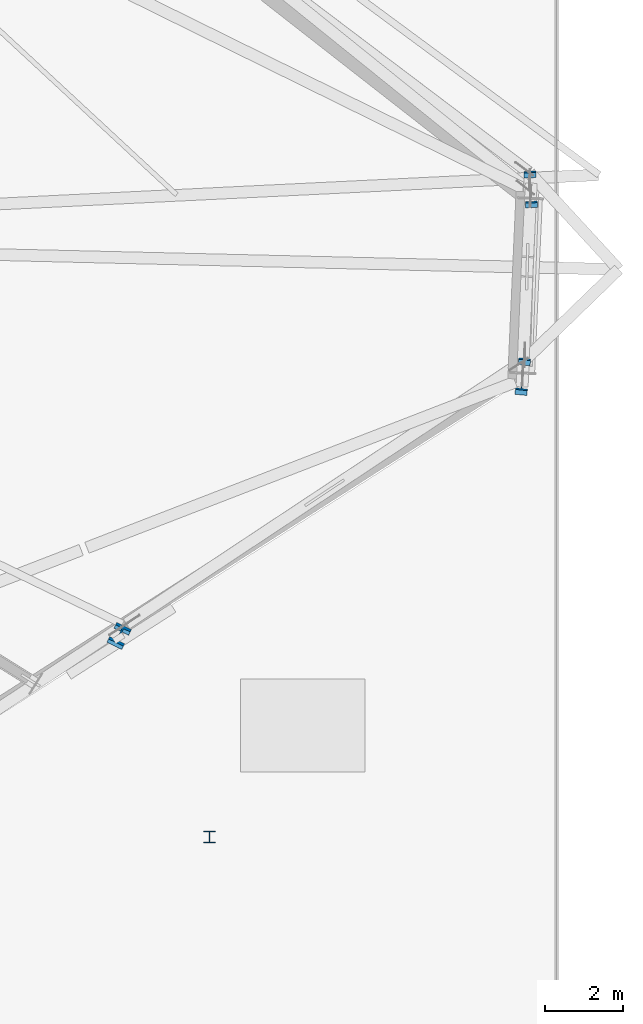
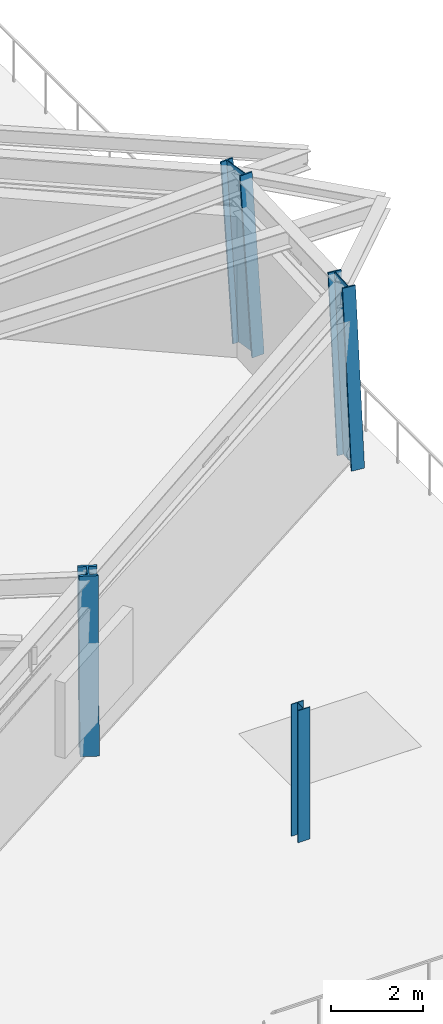
# One storey, part 2 of 20: 4 columns.
"""IFC4 building model written with IfcOpenShell, lengths in metres."""

from ifc_helpers import new_model, si_unit, direction, frame, origin, origin_2d, place, context, subcontext, project, spatial, i_section, extrude, source, transform, mapped, material, material_profile, profile_set, type_object, element, save


model = new_model("IFC4")

# Units and contexts
model_context = context("Model", 3, precision=1e-05, world=origin(), true_north=direction((0.0, 1.0)))
body_context = subcontext(model_context, "Body", "Model", "MODEL_VIEW")
ifc_project = project(units=[si_unit("LENGTHUNIT", "METRE"), si_unit("AREAUNIT", "SQUARE_METRE"), si_unit("VOLUMEUNIT", "CUBIC_METRE"), si_unit("PLANEANGLEUNIT", "RADIAN"), si_unit("MASSUNIT", "GRAM", prefix="KILO")], contexts=[model_context])

# Site, building, storey
site_placement = place(None, origin())
site = spatial("IfcSite", under=ifc_project, at=site_placement, CompositionType="ELEMENT")
building_placement = place(site_placement, origin())
building = spatial("IfcBuilding", under=site, at=building_placement, Name="Olszyna Solenne Hotel", CompositionType="ELEMENT")
storey_placement = place(building_placement, frame((0.0, 0.0, 24.60009765625)))
storey = spatial("IfcBuildingStorey", under=building, at=storey_placement, Name="L05", CompositionType="ELEMENT", Elevation=24.60009765625)

# Columns
ifc_material_1 = material(Name="Steel S355J2", Category="steel")
ifc_material_profile_1 = material_profile(ifc_material_1, i_section(OverallWidth=0.300048828125, OverallDepth=0.300048828125, WebThickness=0.010986328125, FlangeThickness=0.01904296875, at=origin_2d()), Name="HEB 300", Category="load-bearing")
ifc_profile_set_1 = profile_set([ifc_material_profile_1], Name="Steel S355J2")
column_type_1 = type_object("IfcColumnType", Name="COL-S2", PredefinedType="COLUMN", material=ifc_profile_set_1)
shared_shape_1 = source(origin(), body_context, "Body", "SweptSolid", [
    extrude(i_section(OverallWidth=0.300048828125, OverallDepth=0.300048828125, WebThickness=0.010986328125, FlangeThickness=0.01904296875, at=origin_2d()), origin(), (0.0, 0.0, 1.0), 3.5),
])
column_1_placement = place(storey_placement, frame((60.800048828125, 11.199951171875, 0.0), z_axis=(0.0, 0.0, 1.0), x_axis=(1.0, 0.0, 0.0)))
element("IfcColumn", 1, at=column_1_placement, inside=storey, type_object=column_type_1, Name="Terrace pavilion column COL-S2 C-L05-SG3", PredefinedType="COLUMN", context=body_context, shape_type="MappedRepresentation", body=[
    mapped(shared_shape_1, transform((0.0, 0.0, 0.0), x_axis=(1.0, 0.0, 0.0), y_axis=(0.0, 1.0, 0.0), z_axis=(0.0, 0.0, 1.0), scale=1.0)),
])
ifc_material_2 = material(Name="Steel S460M", Category="steel")
ifc_material_profile_2 = material_profile(ifc_material_2, i_section(OverallWidth=0.30810546875, OverallDepth=0.81396484375, WebThickness=0.02099609375, FlangeThickness=0.0400390625, at=origin_2d()), Name="HEM 800", Category="load-bearing")
ifc_profile_set_2 = profile_set([ifc_material_profile_2], Name="Steel S460M")
column_type_2 = type_object("IfcColumnType", Name="COL-K1", PredefinedType="COLUMN", material=ifc_profile_set_2)
shared_shape_2 = source(origin(), body_context, "Body", "SweptSolid", [
    extrude(i_section(OverallWidth=0.30810546875, OverallDepth=0.81396484375, WebThickness=0.02099609375, FlangeThickness=0.0400390625, at=origin_2d()), origin(), (0.0, 0.0, 1.0), 4.56103515625),
])
for number, where, z_axis, x_axis, name in (
    (2, (68.858154296875, 22.984619140625, 0.0), (0.011615312981, 0.10635772762, 0.994260085833), (-0.994089421246, 0.108564370614, 0.0), "Perimeter framed-tube column COL-K1 C-L05-01"),
    (3, (69.072509765625, 27.802978515625, 0.0), (-0.004977952805, 0.106945695745, 0.99425240163), (-0.998918466608, -0.046496204902, 0.0), "Perimeter framed-tube column COL-K1 C-L05-02"),
):
    element("IfcColumn", number, at=place(storey_placement, frame(where, z_axis=z_axis, x_axis=x_axis)), inside=storey, type_object=column_type_2, Name=name, PredefinedType="COLUMN", context=body_context, shape_type="MappedRepresentation", body=[
        mapped(shared_shape_2, transform((0.0, 0.0, 0.0), x_axis=(1.0, 0.0, 0.0), y_axis=(0.0, 1.0, 0.0), z_axis=(0.0, 0.0, 1.0), scale=1.0)),
    ])
ifc_material_profile_3 = material_profile(ifc_material_2, i_section(OverallWidth=0.424072265625, OverallDepth=0.47412109375, WebThickness=0.04296875, FlangeThickness=0.068115234375, at=origin_2d()), Name="HD 400x634", Category="load-bearing")
ifc_profile_set_3 = profile_set([ifc_material_profile_3], Name="Steel S460M")
column_type_3 = type_object("IfcColumnType", Name="COL-T1", PredefinedType="COLUMN", material=ifc_profile_set_3)
shared_shape_3 = source(origin(), body_context, "Body", "SweptSolid", [
    extrude(i_section(OverallWidth=0.424072265625, OverallDepth=0.47412109375, WebThickness=0.04296875, FlangeThickness=0.068115234375, at=origin_2d()), origin(), (0.0, 0.0, 1.0), 4.549072265625),
])
column_2_placement = place(storey_placement, frame((58.4560546875, 16.33349609375, 0.0), z_axis=(0.034937337936, 0.070948019588, 0.996867975679), x_axis=(-0.897125163286, 0.441776460892, 0.0)))
element("IfcColumn", 4, at=column_2_placement, inside=storey, type_object=column_type_3, Name="Perimeter framed-tube column COL-T1 C-L05-12", PredefinedType="COLUMN", context=body_context, shape_type="MappedRepresentation", body=[
    mapped(shared_shape_3, transform((0.0, 0.0, 0.0), x_axis=(1.0, 0.0, 0.0), y_axis=(0.0, 1.0, 0.0), z_axis=(0.0, 0.0, 1.0), scale=1.0)),
])

save(model, "model.ifc")
